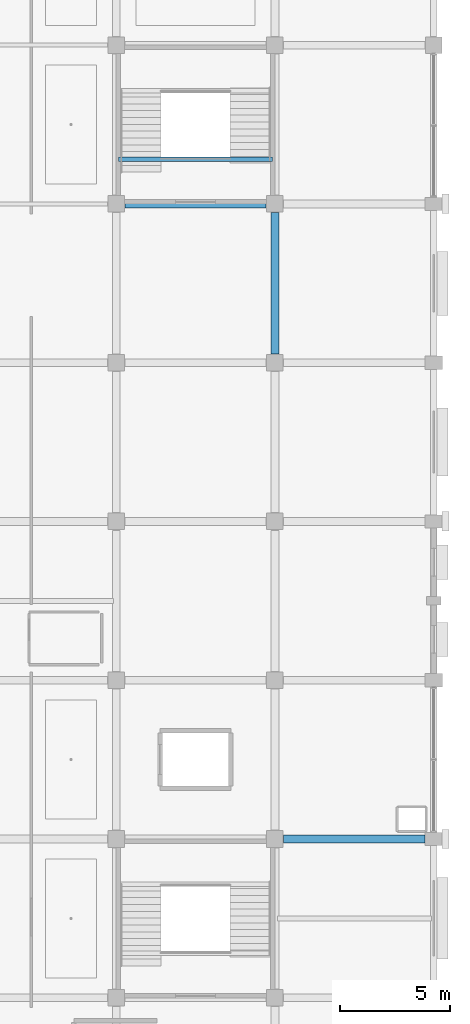
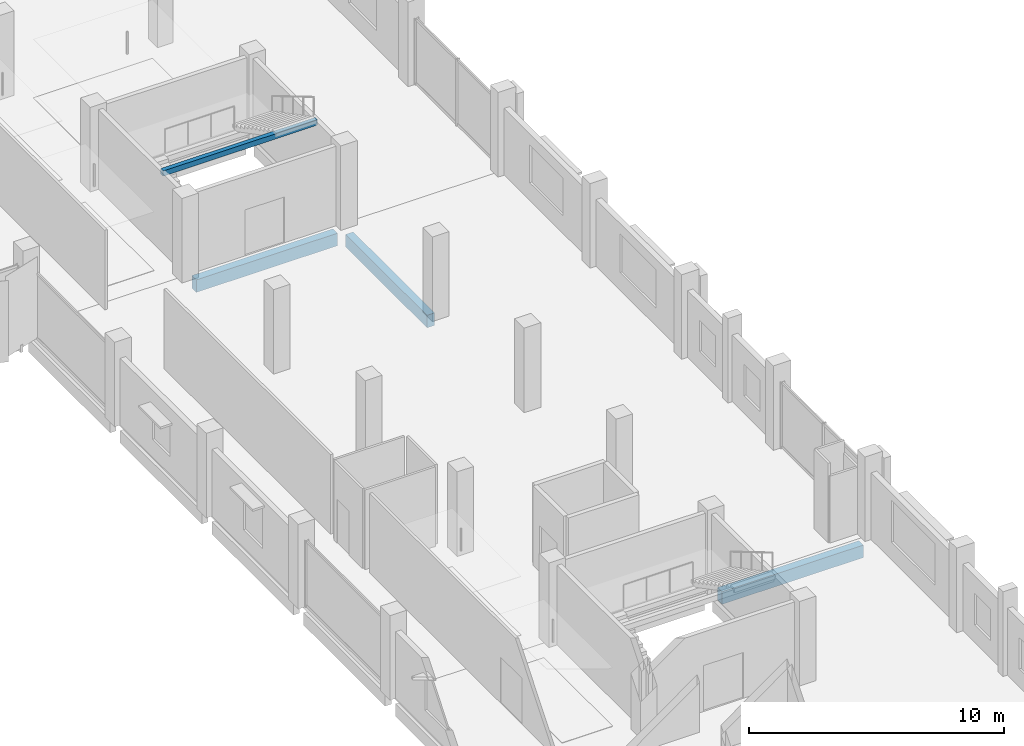
# One storey, part 56 of 108: 4 beams.
"""IFC4 building model written with IfcOpenShell, lengths in metres."""

from ifc_helpers import new_model, si_unit, direction, frame, origin, origin_2d, place, context, subcontext, project, spatial, rectangle, extrude, material, material_profile, profile_set, type_object, element, save


model = new_model("IFC4")

# Units and contexts
model_context = context("Model", 3, precision=1e-05, world=origin(), true_north=direction((0.0, 1.0)))
body_context = subcontext(model_context, "Body", "Model", "MODEL_VIEW")
ifc_project = project(units=[si_unit("LENGTHUNIT", "METRE"), si_unit("AREAUNIT", "SQUARE_METRE"), si_unit("VOLUMEUNIT", "CUBIC_METRE"), si_unit("PLANEANGLEUNIT", "RADIAN"), si_unit("MASSUNIT", "GRAM", prefix="KILO")], contexts=[model_context])

# Site, building, storey
site_placement = place(None, origin())
site = spatial("IfcSite", under=ifc_project, at=site_placement, CompositionType="ELEMENT")
building_placement = place(site_placement, origin())
building = spatial("IfcBuilding", under=site, at=building_placement, Name="Kangsadwip Square Police Headquarters", CompositionType="ELEMENT")
storey_placement = place(building_placement, frame((0.0, 0.0, 9.449951171875)))
storey = spatial("IfcBuildingStorey", under=building, at=storey_placement, Name="L02", CompositionType="ELEMENT", Elevation=9.449951171875)

# Beams
ifc_material_1 = material(Name="Concrete M35 (35 MPa)", Category="concrete")
ifc_material_profile_1 = material_profile(ifc_material_1, rectangle(XDim=0.35009765625, YDim=0.60009765625, at=origin_2d()), Name="RC BM 600X350")
ifc_profile_set_1 = profile_set([ifc_material_profile_1], Name="Concrete M35 (35 MPa)")
beam_type_1 = type_object("IfcBeamType", Name="RcBeam600x350", PredefinedType="BEAM", material=ifc_profile_set_1)
for number, where, z_axis, x_axis, name in (
    (1, (158.800048828125, 64.800048828125, -0.5400390625), (1.0, 0.0, 0.0), (0.0, 1.0, 0.0), "Beam BM-L02-X-22-09"),
    (2, (151.60009765625, 93.60009765625, -0.5400390625), (1.0, 0.0, 0.0), (0.0, 1.0, 0.0), "Beam BM-L02-X-21-13"),
    (3, (158.39990234375, 86.800048828125, -0.5400390625), (0.0, 1.0, 0.0), (-1.0, 0.0, 0.0), "Beam BM-L02-Y-22-12"),
):
    element("IfcBeam", number, at=place(storey_placement, frame(where, z_axis=z_axis, x_axis=x_axis)), inside=storey, type_object=beam_type_1, Name=name, PredefinedType="BEAM", context=body_context, shape_type="SweptSolid", body=[
        extrude(rectangle(XDim=0.35009765625, YDim=0.60009765625, at=origin_2d()), origin(), (0.0, 0.0, 1.0), 6.39990234375),
    ])
ifc_material_2 = material(Name="Concrete M30 (30 MPa)", Category="concrete")
ifc_material_profile_2 = material_profile(ifc_material_2, rectangle(XDim=0.199951171875, YDim=0.25, at=origin_2d()), Name="RC LNT 250X200")
ifc_profile_set_2 = profile_set([ifc_material_profile_2], Name="Concrete M30 (30 MPa)")
beam_type_2 = type_object("IfcBeamType", Name="RcLintel250x200", PredefinedType="LINTEL", material=ifc_profile_set_2)
beam_placement = place(storey_placement, frame((151.300048828125, 95.6201171875, 3.68505859375), z_axis=(1.0, 0.0, 0.0), x_axis=(0.0, 1.0, 0.0)))
element("IfcBeam", 4, at=beam_placement, inside=storey, type_object=beam_type_2, Name="Stair Carriage and Landing Beam BM-ST-L02-064", PredefinedType="BEAM", context=body_context, shape_type="SweptSolid", body=[
    extrude(rectangle(XDim=0.199951171875, YDim=0.25, at=origin_2d()), origin(), (0.0, 0.0, 1.0), 7.0),
])

save(model, "model.ifc")
